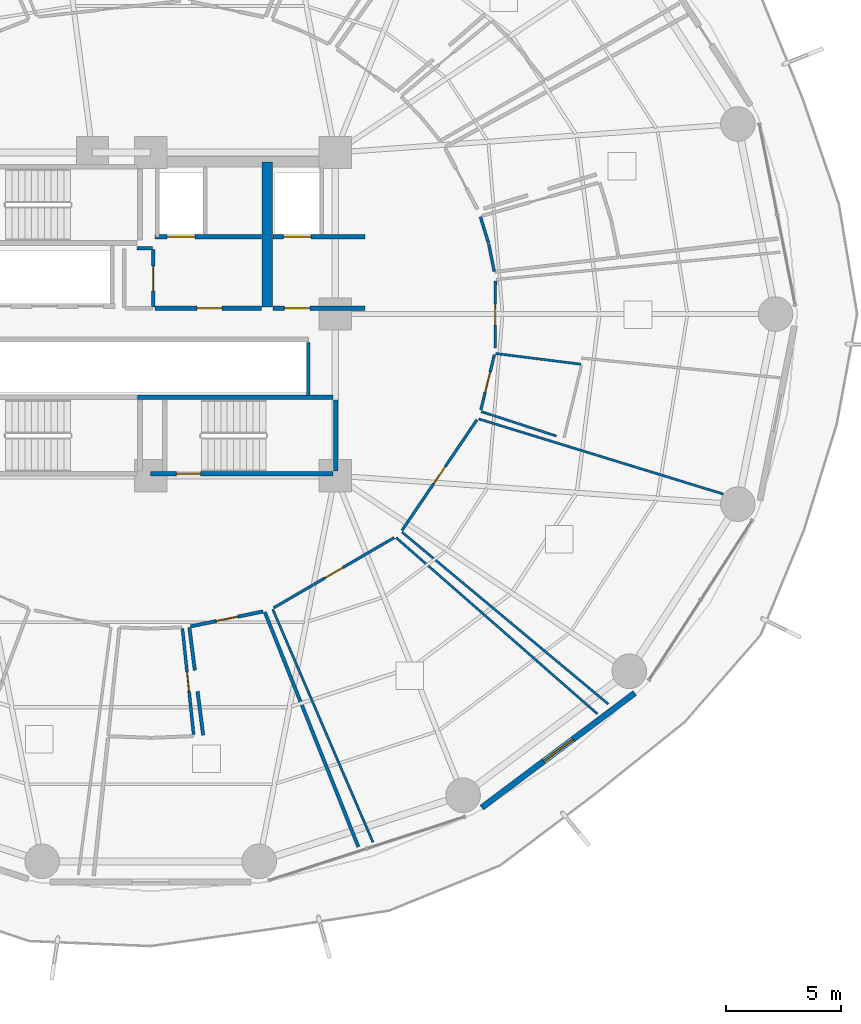
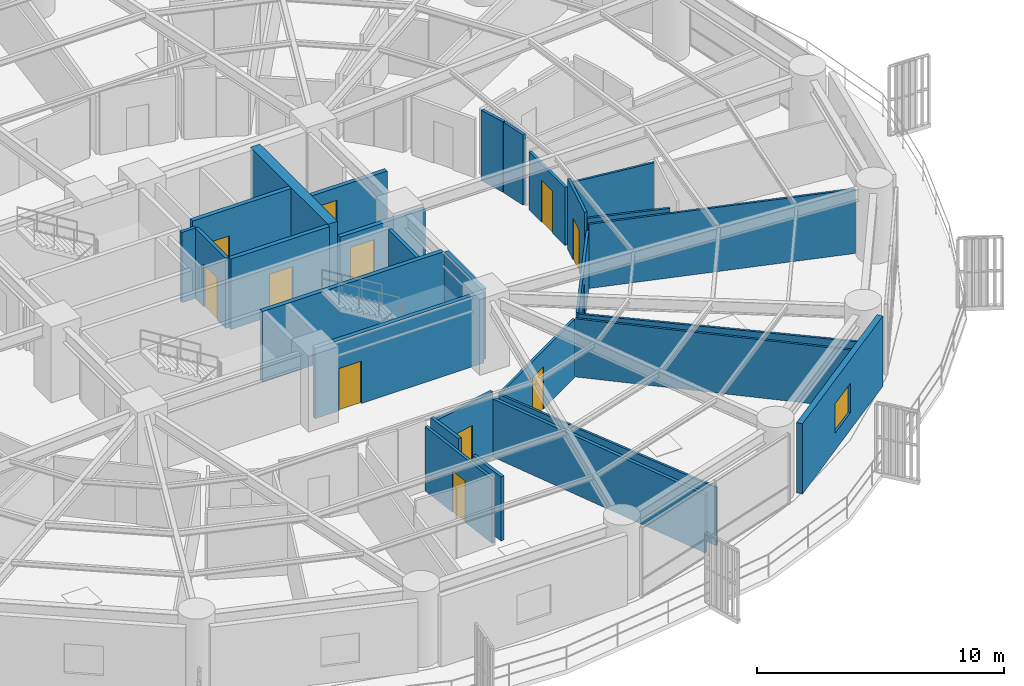
# One storey, part 24 of 33: 29 walls, 12 doors, 1 window, 13 openings.
"""IFC4 building model written with IfcOpenShell, lengths in metres."""

from ifc_helpers import new_model, si_unit, direction, frame, frame_2d, origin, place, context, subcontext, project, spatial, rectangle, extrude, material, layer, layer_set, type_object, element, fill, save


model = new_model("IFC4")

# Units and contexts
model_context = context("Model", 3, precision=1e-05, world=origin(), true_north=direction((0.0, 1.0)))
body_context = subcontext(model_context, "Body", "Model", "MODEL_VIEW")
ifc_project = project(units=[si_unit("LENGTHUNIT", "METRE"), si_unit("AREAUNIT", "SQUARE_METRE"), si_unit("VOLUMEUNIT", "CUBIC_METRE"), si_unit("PLANEANGLEUNIT", "RADIAN"), si_unit("MASSUNIT", "GRAM", prefix="KILO")], contexts=[model_context])

# Site, building, storey
site_placement = place(None, origin())
site = spatial("IfcSite", under=ifc_project, at=site_placement, CompositionType="ELEMENT")
building_placement = place(site_placement, origin())
building = spatial("IfcBuilding", under=site, at=building_placement, Name="Kelanora Arch Commons", CompositionType="ELEMENT")
storey_placement = place(building_placement, frame((0.0, 0.0, 45.0)))
storey = spatial("IfcBuildingStorey", under=building, at=storey_placement, Name="L11", CompositionType="ELEMENT", Elevation=45.0)

# Wall
ifc_material_1 = material(Name="Autoclaved aerated concrete blockwork with fire plaster", Category="masonry")
ifc_layer_1 = layer(ifc_material_1, 0.14990234375)
ifc_layer_set_1 = layer_set([ifc_layer_1], Name="Autoclaved aerated concrete blockwork with fire plaster")
wall_type_1 = type_object("IfcWallType", Name="W-COMP-150", PredefinedType="PARTITIONING", material=ifc_layer_set_1)
wall_1_placement = place(storey_placement, frame((80.840087890625, 54.47998046875, 0.0), z_axis=(0.0, 0.0, 1.0), x_axis=(0.0, 1.0, 0.0)))
element("IfcWall", 1, at=wall_1_placement, inside=storey, type_object=wall_type_1, Name="South Lift Bank East Wall L11", PredefinedType="PARTITIONING", context=body_context, shape_type="SweptSolid", body=[
    extrude(rectangle(XDim=2.2900390625, YDim=0.14990234375, at=frame_2d((1.14501953125, 0.0))), origin(), (0.0, 0.0, 1.0), 3.47998046875),
])

# Wall, opening, door
wall_2_placement = place(storey_placement, frame((74.1201171875, 58.31005859375, 0.0), z_axis=(0.0, 0.0, 1.0), x_axis=(0.0, 1.0, 0.0)))
wall_2 = element("IfcWall", 2, at=wall_2_placement, inside=storey, type_object=wall_type_1, Name="Core Linen Supply Store L11 Entry Partition", PredefinedType="PARTITIONING", context=body_context, shape_type="SweptSolid", body=[
    extrude(rectangle(XDim=2.47998046875, YDim=0.14990234375, at=frame_2d((1.239990234375, 0.0))), origin(), (0.0, 0.0, 1.0), 3.47998046875),
])
opening_1_placement = place(wall_2_placement, frame((0.699951171875, 0.0, 0.0)))
opening_1 = element("IfcOpeningElement", 3, at=opening_1_placement, cuts=wall_2, Name="Opening D-PLT1", PredefinedType="OPENING", context=body_context, shape_type="SweptSolid", body=[
    extrude(rectangle(XDim=1.080078125, YDim=2.10009765625, at=frame_2d((0.5400390625, 1.050048828125))), frame((0.0, 0.0849609375, 0.0), z_axis=(0.0, -1.0, 0.0), x_axis=(1.0, 0.0, 0.0)), (0.0, 0.0, 1.0), 0.169921875),
])
ifc_material_2 = material(Name="Galvanised steel plant and riser fire door", Category="steel")
door_type_1 = type_object("IfcDoorType", Name="D-PLT-110", OperationType="NOTDEFINED", PredefinedType="DOOR", material=ifc_material_2)
door_1_placement = place(opening_1_placement, origin())
door_1 = element("IfcDoor", 4, at=door_1_placement, inside=storey, type_object=door_type_1, Name="Core Linen Supply Store L11 Door", OperationType="SINGLE_SWING_LEFT", OverallHeight=2.10009765625, OverallWidth=1.080078125, PredefinedType="DOOR", context=body_context, shape_type="SweptSolid", body=[
    extrude(rectangle(XDim=1.080078125, YDim=2.10009765625, at=frame_2d((0.5400390625, 1.050048828125))), frame((0.0, 0.02490234375, 0.0), z_axis=(0.0, -1.0, 0.0), x_axis=(1.0, 0.0, 0.0)), (0.0, 0.0, 1.0), 0.050048828125),
])
fill(opening_1, door_1)

wall_3_placement = place(storey_placement, frame((75.731689453125, 44.467041015625, 0.0), z_axis=(0.0, 0.0, 1.0), x_axis=(0.979521553546, 0.201339330831, 0.0)))
wall_3 = element("IfcWall", 5, at=wall_3_placement, inside=storey, type_object=wall_type_1, Name="Co-Living Studio L11-11 Entry Partition", PredefinedType="PARTITIONING", context=body_context, shape_type="SweptSolid", body=[
    extrude(rectangle(XDim=3.207275390625, YDim=0.14990234375, at=frame_2d((1.603515625, 0.0))), origin(), (0.0, 0.0, 1.0), 3.235107421875),
])
opening_2_placement = place(wall_3_placement, frame((1.12890625, 0.0, 0.0)))
opening_2 = element("IfcOpeningElement", 6, at=opening_2_placement, cuts=wall_3, Name="Opening D-CLU1", PredefinedType="OPENING", context=body_context, shape_type="SweptSolid", body=[
    extrude(rectangle(XDim=0.949951171875, YDim=2.080078125, at=frame_2d((0.47509765625, 1.0400390625))), frame((0.0, 0.0849609375, 0.0), z_axis=(0.0, -1.0, 0.0), x_axis=(1.0, 0.0, 0.0)), (0.0, 0.0, 1.0), 0.169921875),
])
ifc_material_3 = material(Name="Solid-core acoustic timber cluster entry fire door", Category="wood")
door_type_2 = type_object("IfcDoorType", Name="D-CLU-95", OperationType="NOTDEFINED", PredefinedType="DOOR", material=ifc_material_3)
door_2_placement = place(opening_2_placement, origin())
door_2 = element("IfcDoor", 7, at=door_2_placement, inside=storey, type_object=door_type_2, Name="Co-Living Studio L11-11 Door", OperationType="SINGLE_SWING_RIGHT", OverallHeight=2.080078125, OverallWidth=0.949951171875, PredefinedType="DOOR", context=body_context, shape_type="SweptSolid", body=[
    extrude(rectangle(XDim=0.949951171875, YDim=2.080078125, at=frame_2d((0.47509765625, 1.0400390625))), frame((0.0, 0.02490234375, 0.0), z_axis=(0.0, -1.0, 0.0), x_axis=(1.0, 0.0, 0.0)), (0.0, 0.0, 1.0), 0.050048828125),
])
fill(opening_2, door_2)

# Walls
wall_4_placement = place(storey_placement, frame((74.080078125, 60.85009765625, 0.0), z_axis=(0.0, 0.0, 1.0), x_axis=(-1.0, 0.0, 0.0)))
element("IfcWall", 8, at=wall_4_placement, inside=storey, type_object=wall_type_1, Name="Core Linen Supply Store L11 Enclosure Partition 3", PredefinedType="PARTITIONING", context=body_context, shape_type="SweptSolid", body=[
    extrude(rectangle(XDim=0.66015625, YDim=0.14990234375, at=frame_2d((0.330078125, 0.0))), origin(), (0.0, 0.0, 1.0), 3.47998046875),
])
wall_5_placement = place(storey_placement, frame((78.94677734375, 45.087890625, 0.0), z_axis=(0.0, 0.0, 1.0), x_axis=(0.370325956987, -0.928901870803, 0.0)))
element("IfcWall", 9, at=wall_5_placement, inside=storey, type_object=wall_type_1, Name="Co-Living Studio L11-11 Enclosure Partition 2", PredefinedType="PARTITIONING", context=body_context, shape_type="SweptSolid", body=[
    extrude(rectangle(XDim=10.95361328125, YDim=0.14990234375, at=frame_2d((5.476806640625, 0.0))), origin(), (0.0, 0.0, 1.0), 2.875),
])
wall_6_placement = place(storey_placement, frame((76.27783203125, 39.749755859375, 0.0), z_axis=(0.0, 0.0, 1.0), x_axis=(-0.127498472538, 0.991838766887, 0.0)))
element("IfcWall", 10, at=wall_6_placement, inside=storey, type_object=wall_type_1, Name="Co-Living Studio L11-11 Enclosure Partition 7", PredefinedType="PARTITIONING", context=body_context, shape_type="SweptSolid", body=[
    extrude(rectangle(XDim=1.916748046875, YDim=0.14990234375, at=frame_2d((0.95849609375, 0.0))), origin(), (0.0, 0.0, 1.0), 3.175048828125),
])
wall_7_placement = place(storey_placement, frame((75.916015625, 42.563720703125, 0.0), z_axis=(0.0, 0.0, 1.0), x_axis=(-0.127510715089, 0.99183719306, 0.0)))
element("IfcWall", 11, at=wall_7_placement, inside=storey, type_object=wall_type_1, Name="Co-Living Studio L11-11 Enclosure Partition 7", PredefinedType="PARTITIONING", context=body_context, shape_type="SweptSolid", body=[
    extrude(rectangle(XDim=1.86669921875, YDim=0.14990234375, at=frame_2d((0.933349609375, 0.0))), origin(), (0.0, 0.0, 1.0), 3.47998046875),
])
ifc_material_4 = material(Name="Concrete C60/75", Category="concrete")
ifc_layer_2 = layer(ifc_material_4, 0.449951171875)
ifc_layer_set_2 = layer_set([ifc_layer_2], Name="Concrete C60/75")
wall_type_2 = type_object("IfcWallType", Name="W-CORE-450", PredefinedType="SHEAR", material=ifc_layer_set_2)
wall_8_placement = place(storey_placement, frame((79.050048828125, 58.300048828125, 0.0), z_axis=(0.0, 0.0, 1.0), x_axis=(0.0, 1.0, 0.0)))
element("IfcWall", 12, at=wall_8_placement, inside=storey, type_object=wall_type_2, Name="Core Shear Spine L11-CE-N", PredefinedType="SHEAR", context=body_context, shape_type="SweptSolid", body=[
    extrude(rectangle(XDim=6.300048828125, YDim=0.449951171875, at=frame_2d((3.14990234375, 0.0))), origin(), (0.0, 0.0, 1.0), 3.489990234375),
])

# Wall, opening, window
ifc_material_5 = material(Name="Precast concrete C40/50 with terracotta rainscreen", Category="masonry")
ifc_layer_3 = layer(ifc_material_5, 0.260009765625)
ifc_layer_set_3 = layer_set([ifc_layer_3], Name="Precast concrete C40/50 with terracotta rainscreen")
wall_type_3 = type_object("IfcWallType", Name="W-EXT-TC", PredefinedType="SOLIDWALL", material=ifc_layer_set_3)
wall_9_placement = place(storey_placement, frame((88.348876953125, 36.61083984375, 0.0), z_axis=(0.0, 0.0, 1.0), x_axis=(0.80030733173, 0.599590005569, 0.0)))
wall_9 = element("IfcWall", 13, at=wall_9_placement, inside=storey, type_object=wall_type_3, Name="Terracotta Exterior Wall L11-B15", PredefinedType="SOLIDWALL", context=body_context, shape_type="SweptSolid", body=[
    extrude(rectangle(XDim=8.29052734375, YDim=0.260009765625, at=frame_2d((4.145263671875, 0.0))), origin(), (0.0, 0.0, 1.0), 3.47509765625),
])
opening_3_placement = place(wall_9_placement, frame((3.344970703125, 0.0, 0.85009765625)))
opening_3 = element("IfcOpeningElement", 14, at=opening_3_placement, cuts=wall_9, Name="Opening WN-01", PredefinedType="OPENING", context=body_context, shape_type="SweptSolid", body=[
    extrude(rectangle(XDim=1.60009765625, YDim=1.449951171875, at=frame_2d((0.800048828125, 0.72509765625))), frame((0.0, 0.14013671875, 0.0), z_axis=(0.0, -1.0, 0.0), x_axis=(1.0, 0.0, 0.0)), (0.0, 0.0, 1.0), 0.280029296875),
])
ifc_material_6 = material(Name="Terracotta-anodised aluminium frame with operable low-E glazing", Category="masonry")
window_type = type_object("IfcWindowType", Name="WIN-CL-18", PartitioningType="DOUBLE_PANEL_VERTICAL", PredefinedType="WINDOW", material=ifc_material_6)
window_placement = place(opening_3_placement, origin())
window = element("IfcWindow", 15, at=window_placement, inside=storey, type_object=window_type, Name="Co-Living Operable Window L11-B15", OverallHeight=1.449951171875, OverallWidth=1.60009765625, PartitioningType="SINGLE_PANEL", PredefinedType="WINDOW", context=body_context, shape_type="SweptSolid", body=[
    extrude(rectangle(XDim=1.60009765625, YDim=1.449951171875, at=frame_2d((0.800048828125, 0.72509765625))), frame((0.0, 0.030029296875, 0.0), z_axis=(0.0, -1.0, 0.0), x_axis=(1.0, 0.0, 0.0)), (0.0, 0.0, 1.0), 0.06005859375),
])
fill(opening_3, window)

# Wall, opening, door
ifc_material_7 = material(Name="Concrete C40/50", Category="concrete")
ifc_layer_4 = layer(ifc_material_7, 0.199951171875)
ifc_layer_set_4 = layer_set([ifc_layer_4], Name="Concrete C40/50")
wall_type_4 = type_object("IfcWallType", Name="W-FFL-200", PredefinedType="SOLIDWALL", material=ifc_layer_set_4)
wall_10_placement = place(storey_placement, frame((74.199951171875, 61.35009765625, 0.0), z_axis=(0.0, 0.0, 1.0), x_axis=(1.0, 0.0, 0.0)))
wall_10 = element("IfcWall", 16, at=wall_10_placement, inside=storey, type_object=wall_type_4, Name="Firefighting Lift 1 Shaft Front L11", PredefinedType="SOLIDWALL", context=body_context, shape_type="SweptSolid", body=[
    extrude(rectangle(XDim=4.60009765625, YDim=0.199951171875, at=frame_2d((2.300048828125, 0.0))), origin(), (0.0, 0.0, 1.0), 3.47998046875),
])
opening_4_placement = place(wall_10_placement, frame((0.52001953125, 0.0, 0.0)))
opening_4 = element("IfcOpeningElement", 17, at=opening_4_placement, cuts=wall_10, Name="Opening LD-FF", PredefinedType="OPENING", context=body_context, shape_type="SweptSolid", body=[
    extrude(rectangle(XDim=1.199951171875, YDim=2.14990234375, at=frame_2d((0.60009765625, 1.074951171875))), frame((0.0, 0.10986328125, 0.0), z_axis=(0.0, -1.0, 0.0), x_axis=(1.0, 0.0, 0.0)), (0.0, 0.0, 1.0), 0.219970703125),
])
ifc_material_8 = material(Name="Fire-rated firefighters lift sliding landing door")
door_type_3 = type_object("IfcDoorType", Name="D-LIFT-FF", OperationType="NOTDEFINED", PredefinedType="DOOR", material=ifc_material_8)
door_3_placement = place(opening_4_placement, origin())
door_3 = element("IfcDoor", 18, at=door_3_placement, inside=storey, type_object=door_type_3, Name="Firefighting Lift LF-FF1 Landing Door L11", OperationType="DOUBLE_DOOR_SLIDING", OverallHeight=2.14990234375, OverallWidth=1.199951171875, PredefinedType="DOOR", context=body_context, shape_type="SweptSolid", body=[
    extrude(rectangle(XDim=1.199951171875, YDim=2.14990234375, at=frame_2d((0.60009765625, 1.074951171875))), frame((0.0, 0.02490234375, 0.0), z_axis=(0.0, -1.0, 0.0), x_axis=(1.0, 0.0, 0.0)), (0.0, 0.0, 1.0), 0.050048828125),
])
fill(opening_4, door_3)

wall_11_placement = place(storey_placement, frame((79.300048828125, 61.35009765625, 0.0), z_axis=(0.0, 0.0, 1.0), x_axis=(1.0, 0.0, 0.0)))
wall_11 = element("IfcWall", 19, at=wall_11_placement, inside=storey, type_object=wall_type_4, Name="Firefighting Lift 2 Shaft Front L11", PredefinedType="SOLIDWALL", context=body_context, shape_type="SweptSolid", body=[
    extrude(rectangle(XDim=4.0, YDim=0.199951171875, at=frame_2d((2.0, 0.0))), origin(), (0.0, 0.0, 1.0), 2.77490234375),
])
opening_5_placement = place(wall_11_placement, frame((0.449951171875, 0.0, 0.0)))
opening_5 = element("IfcOpeningElement", 20, at=opening_5_placement, cuts=wall_11, Name="Opening LD-FF", PredefinedType="OPENING", context=body_context, shape_type="SweptSolid", body=[
    extrude(rectangle(XDim=1.199951171875, YDim=2.14990234375, at=frame_2d((0.60009765625, 1.074951171875))), frame((0.0, 0.10986328125, 0.0), z_axis=(0.0, -1.0, 0.0), x_axis=(1.0, 0.0, 0.0)), (0.0, 0.0, 1.0), 0.219970703125),
])
door_4_placement = place(opening_5_placement, origin())
door_4 = element("IfcDoor", 21, at=door_4_placement, inside=storey, type_object=door_type_3, Name="Firefighting Lift LF-FF2 Landing Door L11", OperationType="DOUBLE_DOOR_SLIDING", OverallHeight=2.14990234375, OverallWidth=1.199951171875, PredefinedType="DOOR", context=body_context, shape_type="SweptSolid", body=[
    extrude(rectangle(XDim=1.199951171875, YDim=2.14990234375, at=frame_2d((0.60009765625, 1.074951171875))), frame((0.0, 0.02490234375, 0.0), z_axis=(0.0, -1.0, 0.0), x_axis=(1.0, 0.0, 0.0)), (0.0, 0.0, 1.0), 0.050048828125),
])
fill(opening_5, door_4)

wall_12_placement = place(storey_placement, frame((74.199951171875, 58.25, 0.0), z_axis=(0.0, 0.0, 1.0), x_axis=(1.0, 0.0, 0.0)))
wall_12 = element("IfcWall", 22, at=wall_12_placement, inside=storey, type_object=wall_type_4, Name="Firefighting Lobby 1 Enclosure Wall L11", PredefinedType="SOLIDWALL", context=body_context, shape_type="SweptSolid", body=[
    extrude(rectangle(XDim=4.60009765625, YDim=0.199951171875, at=frame_2d((2.300048828125, 0.0))), origin(), (0.0, 0.0, 1.0), 3.47998046875),
])
opening_6_placement = place(wall_12_placement, frame((1.800048828125, 0.0, 0.0)))
opening_6 = element("IfcOpeningElement", 23, at=opening_6_placement, cuts=wall_12, Name="Opening D-FFL1", PredefinedType="OPENING", context=body_context, shape_type="SweptSolid", body=[
    extrude(rectangle(XDim=1.10009765625, YDim=2.10009765625, at=frame_2d((0.550048828125, 1.050048828125))), frame((0.0, 0.10986328125, 0.0), z_axis=(0.0, -1.0, 0.0), x_axis=(1.0, 0.0, 0.0)), (0.0, 0.0, 1.0), 0.219970703125),
])
ifc_material_9 = material(Name="Smoke-sealed firefighting lobby fire door")
door_type_4 = type_object("IfcDoorType", Name="D-FFL-110", OperationType="NOTDEFINED", PredefinedType="DOOR", material=ifc_material_9)
door_5_placement = place(opening_6_placement, frame((1.10009765625, 0.0, 0.0), z_axis=(0.0, 0.0, 1.0), x_axis=(-1.0, 0.0, 0.0)))
door_5 = element("IfcDoor", 24, at=door_5_placement, inside=storey, type_object=door_type_4, Name="Firefighting Lobby 1 Door L11", OperationType="SINGLE_SWING_LEFT", OverallHeight=2.10009765625, OverallWidth=1.10009765625, PredefinedType="DOOR", context=body_context, shape_type="SweptSolid", body=[
    extrude(rectangle(XDim=1.10009765625, YDim=2.10009765625, at=frame_2d((0.550048828125, 1.050048828125))), frame((0.0, 0.02490234375, 0.0), z_axis=(0.0, -1.0, 0.0), x_axis=(1.0, 0.0, 0.0)), (0.0, 0.0, 1.0), 0.050048828125),
])
fill(opening_6, door_5)

wall_13_placement = place(storey_placement, frame((79.300048828125, 58.25, 0.0), z_axis=(0.0, 0.0, 1.0), x_axis=(1.0, 0.0, 0.0)))
wall_13 = element("IfcWall", 25, at=wall_13_placement, inside=storey, type_object=wall_type_4, Name="Firefighting Lobby 2 Enclosure Wall L11", PredefinedType="SOLIDWALL", context=body_context, shape_type="SweptSolid", body=[
    extrude(rectangle(XDim=4.0, YDim=0.199951171875, at=frame_2d((2.0, 0.0))), origin(), (0.0, 0.0, 1.0), 2.77490234375),
])
opening_7_placement = place(wall_13_placement, frame((0.5, 0.0, 0.0)))
opening_7 = element("IfcOpeningElement", 26, at=opening_7_placement, cuts=wall_13, Name="Opening D-FFL1", PredefinedType="OPENING", context=body_context, shape_type="SweptSolid", body=[
    extrude(rectangle(XDim=1.10009765625, YDim=2.10009765625, at=frame_2d((0.550048828125, 1.050048828125))), frame((0.0, 0.10986328125, 0.0), z_axis=(0.0, -1.0, 0.0), x_axis=(1.0, 0.0, 0.0)), (0.0, 0.0, 1.0), 0.219970703125),
])
door_6_placement = place(opening_7_placement, frame((1.10009765625, 0.0, 0.0), z_axis=(0.0, 0.0, 1.0), x_axis=(-1.0, 0.0, 0.0)))
door_6 = element("IfcDoor", 27, at=door_6_placement, inside=storey, type_object=door_type_4, Name="Firefighting Lobby 2 Door L11", OperationType="SINGLE_SWING_RIGHT", OverallHeight=2.10009765625, OverallWidth=1.10009765625, PredefinedType="DOOR", context=body_context, shape_type="SweptSolid", body=[
    extrude(rectangle(XDim=1.10009765625, YDim=2.10009765625, at=frame_2d((0.550048828125, 1.050048828125))), frame((0.0, 0.02490234375, 0.0), z_axis=(0.0, -1.0, 0.0), x_axis=(1.0, 0.0, 0.0)), (0.0, 0.0, 1.0), 0.050048828125),
])
fill(opening_7, door_6)

# Walls
ifc_material_10 = material(Name="Lightweight fire-rated acoustic stud partition")
ifc_layer_5 = layer(ifc_material_10, 0.10009765625)
ifc_layer_set_5 = layer_set([ifc_layer_5], Name="Lightweight fire-rated acoustic stud partition")
wall_type_5 = type_object("IfcWallType", Name="W-PART-100", PredefinedType="PARTITIONING", material=ifc_layer_set_5)
wall_14_placement = place(storey_placement, frame((84.634033203125, 48.314697265625, 0.0), z_axis=(0.0, 0.0, 1.0), x_axis=(0.752403187404, -0.658702849231, 0.0)))
element("IfcWall", 28, at=wall_14_placement, inside=storey, type_object=wall_type_5, Name="Quiet Seminar Study Room L11-12 Enclosure Partition 2", PredefinedType="PARTITIONING", context=body_context, shape_type="SweptSolid", body=[
    extrude(rectangle(XDim=11.5947265625, YDim=0.10009765625, at=frame_2d((5.79736328125, 0.0))), origin(), (0.0, 0.0, 1.0), 2.875),
])
wall_15_placement = place(storey_placement, frame((83.63330078125, 35.11572265625, 0.0), z_axis=(0.0, 0.0, 1.0), x_axis=(-0.395239231563, 0.918578221946, 0.0)))
element("IfcWall", 29, at=wall_15_placement, inside=storey, type_object=wall_type_5, Name="Quiet Seminar Study Room L11-12 Enclosure Partition 4", PredefinedType="PARTITIONING", context=body_context, shape_type="SweptSolid", body=[
    extrude(rectangle(XDim=10.979736328125, YDim=0.10009765625, at=frame_2d((5.48974609375, 0.0))), origin(), (0.0, 0.0, 1.0), 2.875),
])
wall_16_placement = place(storey_placement, frame((88.213134765625, 53.457275390625, 0.0), z_axis=(0.0, 0.0, 1.0), x_axis=(0.955941269752, -0.29355798198, 0.0)))
element("IfcWall", 30, at=wall_16_placement, inside=storey, type_object=wall_type_5, Name="Quiet Seminar Study Room L11-13 Enclosure Partition 2", PredefinedType="PARTITIONING", context=body_context, shape_type="SweptSolid", body=[
    extrude(rectangle(XDim=11.08349609375, YDim=0.10009765625, at=frame_2d((5.541748046875, 0.0))), origin(), (0.0, 0.0, 1.0), 3.175048828125),
])
wall_17_placement = place(storey_placement, frame((93.827392578125, 41.103515625, 0.0), z_axis=(0.0, 0.0, 1.0), x_axis=(-0.768116338219, 0.640310308336, 0.0)))
element("IfcWall", 31, at=wall_17_placement, inside=storey, type_object=wall_type_5, Name="Quiet Seminar Study Room L11-13 Enclosure Partition 4", PredefinedType="PARTITIONING", context=body_context, shape_type="SweptSolid", body=[
    extrude(rectangle(XDim=11.63330078125, YDim=0.10009765625, at=frame_2d((5.816650390625, 0.0))), origin(), (0.0, 0.0, 1.0), 2.875),
])
wall_18_placement = place(storey_placement, frame((88.95166015625, 56.291015625, 0.0), z_axis=(0.0, 0.0, 1.0), x_axis=(0.992185717147, -0.124769798789, 0.0)))
element("IfcWall", 32, at=wall_18_placement, inside=storey, type_object=wall_type_5, Name="Student Laundry Room L11-14 Enclosure Partition 2", PredefinedType="PARTITIONING", context=body_context, shape_type="SweptSolid", body=[
    extrude(rectangle(XDim=3.7197265625, YDim=0.10009765625, at=frame_2d((1.85986328125, 0.0))), origin(), (0.0, 0.0, 1.0), 3.235107421875),
])
wall_19_placement = place(storey_placement, frame((91.585205078125, 52.714599609375, 0.0), z_axis=(0.0, 0.0, 1.0), x_axis=(-0.950990540972, 0.309219971834, 0.0)))
element("IfcWall", 33, at=wall_19_placement, inside=storey, type_object=wall_type_5, Name="Student Laundry Room L11-14 Enclosure Partition 4", PredefinedType="PARTITIONING", context=body_context, shape_type="SweptSolid", body=[
    extrude(rectangle(XDim=3.421875, YDim=0.10009765625, at=frame_2d((1.7109375, 0.0))), origin(), (0.0, 0.0, 1.0), 3.235107421875),
])

# Wall, opening, door
ifc_material_11 = material(Name="Acoustic twin-stud fire-rated gypsum partition")
ifc_layer_6 = layer(ifc_material_11, 0.1201171875)
ifc_layer_set_6 = layer_set([ifc_layer_6], Name="Acoustic twin-stud fire-rated gypsum partition")
wall_type_6 = type_object("IfcWallType", Name="W-PART-120", PredefinedType="PARTITIONING", material=ifc_layer_set_6)
wall_20_placement = place(storey_placement, frame((79.329833984375, 45.268310546875, 0.0), z_axis=(0.0, 0.0, 1.0), x_axis=(0.864061520755, 0.503386221852, 0.0)))
wall_20 = element("IfcWall", 34, at=wall_20_placement, inside=storey, type_object=wall_type_6, Name="Quiet Seminar Study Room L11-12 Entry Partition", PredefinedType="PARTITIONING", context=body_context, shape_type="SweptSolid", body=[
    extrude(rectangle(XDim=6.0439453125, YDim=0.1201171875, at=frame_2d((3.02197265625, 0.0))), origin(), (0.0, 0.0, 1.0), 2.875),
])
opening_8_placement = place(wall_20_placement, frame((2.572021484375, 0.0, 0.0)))
opening_8 = element("IfcOpeningElement", 35, at=opening_8_placement, cuts=wall_20, Name="Opening D-RM1", PredefinedType="OPENING", context=body_context, shape_type="SweptSolid", body=[
    extrude(rectangle(XDim=0.89990234375, YDim=2.080078125, at=frame_2d((0.449951171875, 1.0400390625))), frame((0.0, 0.070068359375, 0.0), z_axis=(0.0, -1.0, 0.0), x_axis=(1.0, 0.0, 0.0)), (0.0, 0.0, 1.0), 0.14013671875),
])
ifc_material_12 = material(Name="Acoustic fire-rated timber study and lounge door", Category="wood")
door_type_5 = type_object("IfcDoorType", Name="D-ROOM-90", OperationType="NOTDEFINED", PredefinedType="DOOR", material=ifc_material_12)
door_7_placement = place(opening_8_placement, origin())
door_7 = element("IfcDoor", 36, at=door_7_placement, inside=storey, type_object=door_type_5, Name="Quiet Seminar Study Room L11-12 Door", OperationType="SINGLE_SWING_LEFT", OverallHeight=2.080078125, OverallWidth=0.89990234375, PredefinedType="DOOR", context=body_context, shape_type="SweptSolid", body=[
    extrude(rectangle(XDim=0.89990234375, YDim=2.080078125, at=frame_2d((0.449951171875, 1.0400390625))), frame((0.0, 0.02490234375, 0.0), z_axis=(0.0, -1.0, 0.0), x_axis=(1.0, 0.0, 0.0)), (0.0, 0.0, 1.0), 0.050048828125),
])
fill(opening_8, door_7)

wall_21_placement = place(storey_placement, frame((84.894775390625, 48.627685546875, 0.0), z_axis=(0.0, 0.0, 1.0), x_axis=(0.560933949984, 0.827860558159, 0.0)))
wall_21 = element("IfcWall", 37, at=wall_21_placement, inside=storey, type_object=wall_type_6, Name="Quiet Seminar Study Room L11-13 Entry Partition", PredefinedType="PARTITIONING", context=body_context, shape_type="SweptSolid", body=[
    extrude(rectangle(XDim=5.787841796875, YDim=0.1201171875, at=frame_2d((2.89404296875, 0.0))), origin(), (0.0, 0.0, 1.0), 2.875),
])
opening_9_placement = place(wall_21_placement, frame((2.444091796875, 0.0, 0.0)))
opening_9 = element("IfcOpeningElement", 38, at=opening_9_placement, cuts=wall_21, Name="Opening D-RM1", PredefinedType="OPENING", context=body_context, shape_type="SweptSolid", body=[
    extrude(rectangle(XDim=0.89990234375, YDim=2.080078125, at=frame_2d((0.449951171875, 1.0400390625))), frame((0.0, 0.070068359375, 0.0), z_axis=(0.0, -1.0, 0.0), x_axis=(1.0, 0.0, 0.0)), (0.0, 0.0, 1.0), 0.14013671875),
])
door_8_placement = place(opening_9_placement, origin())
door_8 = element("IfcDoor", 39, at=door_8_placement, inside=storey, type_object=door_type_5, Name="Quiet Seminar Study Room L11-13 Door", OperationType="SINGLE_SWING_RIGHT", OverallHeight=2.080078125, OverallWidth=0.89990234375, PredefinedType="DOOR", context=body_context, shape_type="SweptSolid", body=[
    extrude(rectangle(XDim=0.89990234375, YDim=2.080078125, at=frame_2d((0.449951171875, 1.0400390625))), frame((0.0, 0.02490234375, 0.0), z_axis=(0.0, -1.0, 0.0), x_axis=(1.0, 0.0, 0.0)), (0.0, 0.0, 1.0), 0.050048828125),
])
fill(opening_9, door_8)

wall_22_placement = place(storey_placement, frame((88.307373046875, 53.84326171875, 0.0), z_axis=(0.0, 0.0, 1.0), x_axis=(0.239366536705, 0.970929277088, 0.0)))
wall_22 = element("IfcWall", 40, at=wall_22_placement, inside=storey, type_object=wall_type_6, Name="Student Laundry Room L11-14 Entry Partition", PredefinedType="PARTITIONING", context=body_context, shape_type="SweptSolid", body=[
    extrude(rectangle(XDim=2.46630859375, YDim=0.1201171875, at=frame_2d((1.233154296875, 0.0))), origin(), (0.0, 0.0, 1.0), 3.47998046875),
])
opening_10_placement = place(wall_22_placement, frame((0.782958984375, 0.0, 0.0)))
opening_10 = element("IfcOpeningElement", 41, at=opening_10_placement, cuts=wall_22, Name="Opening D-RM1", PredefinedType="OPENING", context=body_context, shape_type="SweptSolid", body=[
    extrude(rectangle(XDim=0.89990234375, YDim=2.080078125, at=frame_2d((0.449951171875, 1.0400390625))), frame((0.0, 0.070068359375, 0.0), z_axis=(0.0, -1.0, 0.0), x_axis=(1.0, 0.0, 0.0)), (0.0, 0.0, 1.0), 0.14013671875),
])
door_9_placement = place(opening_10_placement, origin())
door_9 = element("IfcDoor", 42, at=door_9_placement, inside=storey, type_object=door_type_5, Name="Student Laundry Room L11-14 Door", OperationType="SINGLE_SWING_LEFT", OverallHeight=2.080078125, OverallWidth=0.89990234375, PredefinedType="DOOR", context=body_context, shape_type="SweptSolid", body=[
    extrude(rectangle(XDim=0.89990234375, YDim=2.080078125, at=frame_2d((0.449951171875, 1.0400390625))), frame((0.0, 0.02490234375, 0.0), z_axis=(0.0, -1.0, 0.0), x_axis=(1.0, 0.0, 0.0)), (0.0, 0.0, 1.0), 0.050048828125),
])
fill(opening_10, door_9)

wall_23_placement = place(storey_placement, frame((88.93408203125, 56.52197265625, 0.0), z_axis=(0.0, 0.0, 1.0), x_axis=(0.001675600865, 0.99999859618, 0.0)))
wall_23 = element("IfcWall", 43, at=wall_23_placement, inside=storey, type_object=wall_type_6, Name="Quiet Reading Carrel L11-14 Entry Partition", PredefinedType="PARTITIONING", context=body_context, shape_type="SweptSolid", body=[
    extrude(rectangle(XDim=2.9140625, YDim=0.1201171875, at=frame_2d((1.45703125, 0.0))), origin(), (0.0, 0.0, 1.0), 2.875),
])
opening_11_placement = place(wall_23_placement, frame((1.007080078125, 0.0, 0.0)))
opening_11 = element("IfcOpeningElement", 44, at=opening_11_placement, cuts=wall_23, Name="Opening D-RM1", PredefinedType="OPENING", context=body_context, shape_type="SweptSolid", body=[
    extrude(rectangle(XDim=0.89990234375, YDim=2.080078125, at=frame_2d((0.449951171875, 1.0400390625))), frame((0.0, 0.070068359375, 0.0), z_axis=(0.0, -1.0, 0.0), x_axis=(1.0, 0.0, 0.0)), (0.0, 0.0, 1.0), 0.14013671875),
])
door_10_placement = place(opening_11_placement, origin())
door_10 = element("IfcDoor", 45, at=door_10_placement, inside=storey, type_object=door_type_5, Name="Quiet Reading Carrel L11-14 Door", OperationType="SINGLE_SWING_RIGHT", OverallHeight=2.080078125, OverallWidth=0.89990234375, PredefinedType="DOOR", context=body_context, shape_type="SweptSolid", body=[
    extrude(rectangle(XDim=0.89990234375, YDim=2.080078125, at=frame_2d((0.449951171875, 1.0400390625))), frame((0.0, 0.02490234375, 0.0), z_axis=(0.0, -1.0, 0.0), x_axis=(1.0, 0.0, 0.0)), (0.0, 0.0, 1.0), 0.050048828125),
])
fill(opening_11, door_10)

ifc_layer_7 = layer(ifc_material_7, 0.199951171875)
ifc_layer_set_7 = layer_set([ifc_layer_7], Name="Concrete C40/50")
wall_type_7 = type_object("IfcWallType", Name="W-STAIR-200", PredefinedType="SHEAR", material=ifc_layer_set_7)
wall_24_placement = place(storey_placement, frame((74.0, 51.080078125, 0.0), z_axis=(0.0, 0.0, 1.0), x_axis=(1.0, 0.0, 0.0)))
wall_24 = element("IfcWall", 46, at=wall_24_placement, inside=storey, type_object=wall_type_7, Name="Stair ST-T2 Shaft Wall S L11", PredefinedType="SHEAR", context=body_context, shape_type="SweptSolid", body=[
    extrude(rectangle(XDim=7.89990234375, YDim=0.199951171875, at=frame_2d((3.949951171875, 0.0))), origin(), (0.0, 0.0, 1.0), 3.489990234375),
])
opening_12_placement = place(wall_24_placement, frame((1.1201171875, 0.0, 0.0)))
opening_12 = element("IfcOpeningElement", 47, at=opening_12_placement, cuts=wall_24, Name="Opening D-ST1", PredefinedType="OPENING", context=body_context, shape_type="SweptSolid", body=[
    extrude(rectangle(XDim=1.050048828125, YDim=2.10009765625, at=frame_2d((0.52490234375, 1.050048828125))), frame((0.0, 0.10986328125, 0.0), z_axis=(0.0, -1.0, 0.0), x_axis=(1.0, 0.0, 0.0)), (0.0, 0.0, 1.0), 0.219970703125),
])
ifc_material_13 = material(Name="Steel fire-rated stairwell escape door", Category="steel")
door_type_6 = type_object("IfcDoorType", Name="D-STAIR-110", OperationType="NOTDEFINED", PredefinedType="DOOR", material=ifc_material_13)
door_11_placement = place(opening_12_placement, origin())
door_11 = element("IfcDoor", 48, at=door_11_placement, inside=storey, type_object=door_type_6, Name="Stair ST-T2 Escape Door L11", OperationType="SINGLE_SWING_LEFT", OverallHeight=2.10009765625, OverallWidth=1.050048828125, PredefinedType="DOOR", context=body_context, shape_type="SweptSolid", body=[
    extrude(rectangle(XDim=1.050048828125, YDim=2.10009765625, at=frame_2d((0.52490234375, 1.050048828125))), frame((0.0, 0.02490234375, 0.0), z_axis=(0.0, -1.0, 0.0), x_axis=(1.0, 0.0, 0.0)), (0.0, 0.0, 1.0), 0.050048828125),
])
fill(opening_12, door_11)

# Walls
wall_25_placement = place(storey_placement, frame((82.02001953125, 51.199951171875, 0.0), z_axis=(0.0, 0.0, 1.0), x_axis=(0.0, 1.0, 0.0)))
element("IfcWall", 49, at=wall_25_placement, inside=storey, type_object=wall_type_7, Name="Stair ST-T2 Shaft Wall E L11", PredefinedType="SHEAR", context=body_context, shape_type="SweptSolid", body=[
    extrude(rectangle(XDim=3.070068359375, YDim=0.199951171875, at=frame_2d((1.53515625, 0.0))), origin(), (0.0, 0.0, 1.0), 3.489990234375),
])
wall_26_placement = place(storey_placement, frame((81.89990234375, 54.389892578125, 0.0), z_axis=(0.0, 0.0, 1.0), x_axis=(-1.0, 0.0, 0.0)))
element("IfcWall", 50, at=wall_26_placement, inside=storey, type_object=wall_type_7, Name="Stair ST-T2 Shaft Wall N L11", PredefinedType="SHEAR", context=body_context, shape_type="SweptSolid", body=[
    extrude(rectangle(XDim=8.4599609375, YDim=0.199951171875, at=frame_2d((4.22998046875, 0.0))), origin(), (0.0, 0.0, 1.0), 3.489990234375),
])

# Wall, opening, door
ifc_material_14 = material(Name="Moisture-resistant fire-rated cement-board plumbing wall")
ifc_layer_8 = layer(ifc_material_14, 0.1298828125)
ifc_layer_set_8 = layer_set([ifc_layer_8], Name="Moisture-resistant fire-rated cement-board plumbing wall")
wall_type_8 = type_object("IfcWallType", Name="W-WET-120", PredefinedType="PLUMBINGWALL", material=ifc_layer_set_8)
wall_27_placement = place(storey_placement, frame((75.37939453125, 44.3671875, 0.0), z_axis=(0.0, 0.0, 1.0), x_axis=(0.104844331411, -0.994488645572, 0.0)))
wall_27 = element("IfcWall", 51, at=wall_27_placement, inside=storey, type_object=wall_type_8, Name="En-Suite Shower WC L11-11 Entry Partition", PredefinedType="PLUMBINGWALL", context=body_context, shape_type="SweptSolid", body=[
    extrude(rectangle(XDim=4.619873046875, YDim=0.1298828125, at=frame_2d((2.31005859375, 0.0))), origin(), (0.0, 0.0, 1.0), 3.175048828125),
])
opening_13_placement = place(wall_27_placement, frame((1.8798828125, 0.0, 0.0)))
opening_13 = element("IfcOpeningElement", 52, at=opening_13_placement, cuts=wall_27, Name="Opening D-BT1", PredefinedType="OPENING", context=body_context, shape_type="SweptSolid", body=[
    extrude(rectangle(XDim=0.860107421875, YDim=2.050048828125, at=frame_2d((0.43017578125, 1.02490234375))), frame((0.0, 0.074951171875, 0.0), z_axis=(0.0, -1.0, 0.0), x_axis=(1.0, 0.0, 0.0)), (0.0, 0.0, 1.0), 0.14990234375),
])
ifc_material_15 = material(Name="Moisture-sealed fire-rated accessible bathroom door")
door_type_7 = type_object("IfcDoorType", Name="D-BATH-85", OperationType="NOTDEFINED", PredefinedType="DOOR", material=ifc_material_15)
door_12_placement = place(opening_13_placement, origin())
door_12 = element("IfcDoor", 53, at=door_12_placement, inside=storey, type_object=door_type_7, Name="En-Suite Shower WC L11-11 Door", OperationType="SINGLE_SWING_LEFT", OverallHeight=2.050048828125, OverallWidth=0.860107421875, PredefinedType="DOOR", context=body_context, shape_type="SweptSolid", body=[
    extrude(rectangle(XDim=0.860107421875, YDim=2.050048828125, at=frame_2d((0.43017578125, 1.02490234375))), frame((0.0, 0.02490234375, 0.0), z_axis=(0.0, -1.0, 0.0), x_axis=(1.0, 0.0, 0.0)), (0.0, 0.0, 1.0), 0.050048828125),
])
fill(opening_13, door_12)

# Walls
wall_28_placement = place(storey_placement, frame((88.89013671875, 59.845703125, 0.0), z_axis=(0.0, 0.0, 1.0), x_axis=(-0.195959765133, 0.980611936726, 0.0)))
element("IfcWall", 54, at=wall_28_placement, inside=storey, type_object=wall_type_8, Name="En-Suite Shower WC L11-01 Enclosure Partition 1", PredefinedType="PLUMBINGWALL", context=body_context, shape_type="SweptSolid", body=[
    extrude(rectangle(XDim=1.200927734375, YDim=0.1298828125, at=frame_2d((0.6005859375, 0.0))), origin(), (0.0, 0.0, 1.0), 3.47998046875),
])
wall_29_placement = place(storey_placement, frame((88.64501953125, 61.06201171875, 0.0), z_axis=(0.0, 0.0, 1.0), x_axis=(-0.292804953119, 0.956172191307, 0.0)))
element("IfcWall", 55, at=wall_29_placement, inside=storey, type_object=wall_type_8, Name="En-Suite Shower WC L11-01 Enclosure Partition 2", PredefinedType="PLUMBINGWALL", context=body_context, shape_type="SweptSolid", body=[
    extrude(rectangle(XDim=1.20556640625, YDim=0.1298828125, at=frame_2d((0.602783203125, 0.0))), origin(), (0.0, 0.0, 1.0), 3.47998046875),
])

save(model, "model.ifc")
